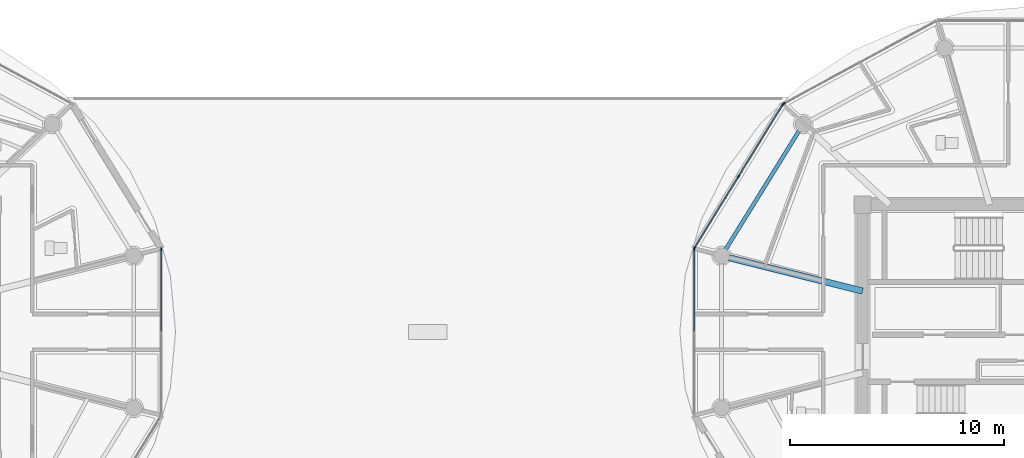
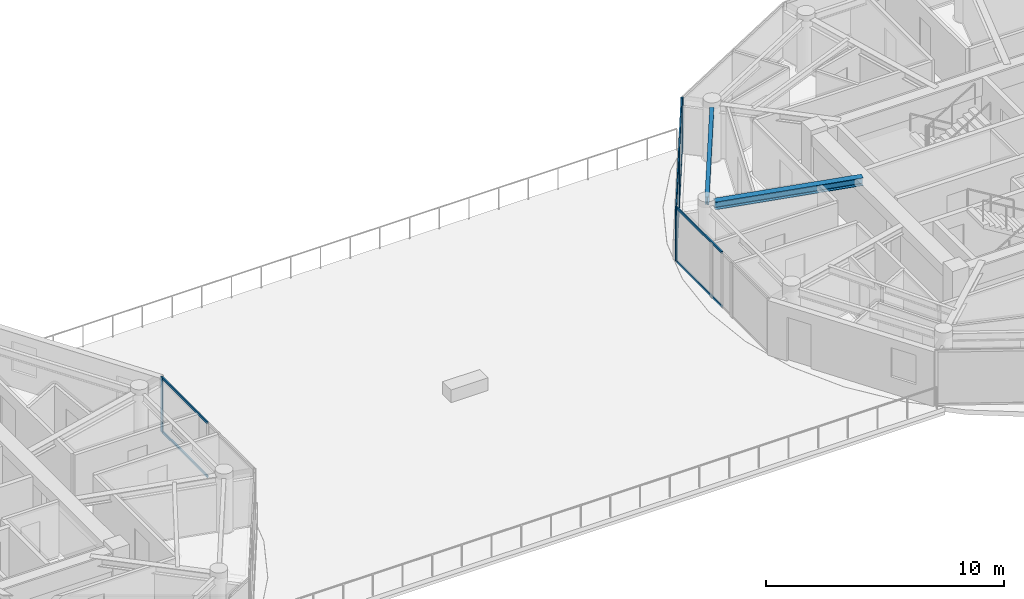
# One storey, part 7 of 30: 14 members, 2 beams, 4 elements without a shape of their own.
"""IFC4 building model written with IfcOpenShell, lengths in metres."""

from ifc_helpers import new_model, si_unit, direction, frame, origin, origin_2d, place, context, subcontext, project, spatial, rectangle, i_section, extrude, source, transform, mapped, material, layer, layer_set, material_profile, profile_set, type_object, type_shapes, element, aggregate, save


model = new_model("IFC4")

# Units and contexts
model_context = context("Model", 3, precision=1e-05, world=origin(), true_north=direction((0.0, 1.0)))
body_context = subcontext(model_context, "Body", "Model", "MODEL_VIEW")
ifc_project = project(units=[si_unit("LENGTHUNIT", "METRE"), si_unit("AREAUNIT", "SQUARE_METRE"), si_unit("VOLUMEUNIT", "CUBIC_METRE"), si_unit("PLANEANGLEUNIT", "RADIAN"), si_unit("MASSUNIT", "GRAM", prefix="KILO")], contexts=[model_context])

# Site, building, storey
site_placement = place(None, origin())
site = spatial("IfcSite", under=ifc_project, at=site_placement, CompositionType="ELEMENT")
building_placement = place(site_placement, origin())
building = spatial("IfcBuilding", under=site, at=building_placement, Name="Norrkilde Senior Care Towers", CompositionType="ELEMENT")
storey_placement = place(building_placement, frame((0.0, 0.0, 232.199951171875)))
storey = spatial("IfcBuildingStorey", under=building, at=storey_placement, Name="L72", CompositionType="ELEMENT", Elevation=232.199951171875)

# Beams
ifc_material_1 = material(Name="Steel S355", Category="steel")
ifc_material_profile_1 = material_profile(ifc_material_1, i_section(OverallWidth=0.179931640625, OverallDepth=0.39990234375, WebThickness=0.008544921875, FlangeThickness=0.013427734375, FilletRadius=0.02099609375, at=origin_2d()), Name="IPE 400")
ifc_profile_set_1 = profile_set([ifc_material_profile_1], Name="Steel S355")
beam_type_1 = type_object("IfcBeamType", Name="Perimeter Ring Spandrel Z4 IPE400", PredefinedType="SPANDREL", material=ifc_profile_set_1)
shared_shape_1 = source(origin(), body_context, "Body", "SweptSolid", [
    extrude(i_section(OverallWidth=0.179931640625, OverallDepth=0.39990234375, WebThickness=0.008544921875, FlangeThickness=0.013427734375, FilletRadius=0.02099609375, at=origin_2d()), origin(), (0.0, 0.0, 1.0), 6.58056640625),
])
type_shapes(beam_type_1, [shared_shape_1])
beam_1_placement = place(storey_placement, frame((17.393798828125, 9.43798828125, 2.610107421875), z_axis=(-0.526529583789, -0.850156807533, 0.0), x_axis=(0.850156807533, -0.526529583789, 0.0)))
element("IfcBeam", 1, at=beam_1_placement, inside=storey, type_object=beam_type_1, Name="L72 Drum E Perimeter Spandrel 05", PredefinedType="SPANDREL", context=body_context, shape_type="MappedRepresentation", body=[
    mapped(shared_shape_1, transform((0.0, 0.0, 0.0), x_axis=(1.0, 0.0, 0.0), y_axis=(0.0, 1.0, 0.0), z_axis=(0.0, 0.0, 1.0), scale=1.0)),
])
ifc_material_profile_2 = material_profile(ifc_material_1, i_section(OverallWidth=0.300048828125, OverallDepth=0.39990234375, WebThickness=0.013427734375, FlangeThickness=0.02392578125, FilletRadius=0.027099609375, at=origin_2d()), Name="HEB 400")
ifc_profile_set_2 = profile_set([ifc_material_profile_2], Name="Steel S355")
beam_type_2 = type_object("IfcBeamType", Name="Radial Floor Beam Z4 HEB400", PredefinedType="BEAM", material=ifc_profile_set_2)
shared_shape_2 = source(origin(), body_context, "Body", "SweptSolid", [
    extrude(i_section(OverallWidth=0.300048828125, OverallDepth=0.39990234375, WebThickness=0.013427734375, FlangeThickness=0.02392578125, FilletRadius=0.027099609375, at=origin_2d()), origin(), (0.0, 0.0, 1.0), 6.465087890625),
])
type_shapes(beam_type_2, [shared_shape_2])
beam_2_placement = place(storey_placement, frame((20.35009765625, 1.910888671875, 2.610107421875), z_axis=(-0.970195788563, 0.242322371758, 0.0), x_axis=(-0.242322371758, -0.970195788563, 0.0)))
element("IfcBeam", 2, at=beam_2_placement, inside=storey, type_object=beam_type_2, Name="L72 Drum E Radial Floor Beam 06", PredefinedType="BEAM", context=body_context, shape_type="MappedRepresentation", body=[
    mapped(shared_shape_2, transform((0.0, 0.0, 0.0), x_axis=(1.0, 0.0, 0.0), y_axis=(0.0, 1.0, 0.0), z_axis=(0.0, 0.0, 1.0), scale=1.0)),
])

# Curtain wall, member
ifc_material_2 = material(Name="Triple Low-E Insulated Glazing", Category="glass")
ifc_layer = layer(ifc_material_2, 0.18505859375)
ifc_layer_set = layer_set([ifc_layer], Name="Triple Low-E Insulated Glazing")
curtain_wall_type = type_object("IfcCurtainWallType", Name="CW6 Zone 4 Crown Pavilion Curtain Wall", PredefinedType="NOTDEFINED", material=ifc_layer_set)
curtain_wall_1_placement = place(storey_placement, origin())
curtain_wall_1 = element("IfcCurtainWall", 3, at=curtain_wall_1_placement, inside=storey, type_object=curtain_wall_type, Name="L72 Drum W Curtain Wall 11", PredefinedType="NOTDEFINED")
ifc_material_3 = material(Name="Anodised Aluminium", Category="aluminium")
ifc_material_profile_3 = material_profile(ifc_material_3, rectangle(XDim=0.06494140625, YDim=0.14990234375, at=origin_2d()), Name="ALU MULL 65x150")
ifc_profile_set_3 = profile_set([ifc_material_profile_3], Name="Anodised Aluminium")
member_type_1 = type_object("IfcMemberType", Name="Curtain Wall Mullion Z3-Z4 65x150", PredefinedType="MULLION", material=ifc_profile_set_3)
shared_shape_3 = source(origin(), body_context, "Body", "SweptSolid", [
    extrude(rectangle(XDim=0.06494140625, YDim=0.14990234375, at=origin_2d()), origin(), (0.0, 0.0, 1.0), 2.81005859375),
])
type_shapes(member_type_1, [shared_shape_3])
member_1_placement = place(storey_placement, frame((-12.468017578125, 3.87060546875, 0.0), z_axis=(0.0, 0.0, 1.0), x_axis=(1.0, 0.0, 0.0)))
member_1 = element("IfcMember", 4, at=member_1_placement, type_object=member_type_1, Name="CW-6 mullion 1", PredefinedType="MULLION", context=body_context, shape_type="MappedRepresentation", body=[
    mapped(shared_shape_3, transform((0.0, 0.0, 0.0), x_axis=(1.0, 0.0, 0.0), y_axis=(0.0, 1.0, 0.0), z_axis=(0.0, 0.0, 1.0), scale=1.0)),
])

curtain_wall_2_placement = place(storey_placement, origin())
curtain_wall_2 = element("IfcCurtainWall", 5, at=curtain_wall_2_placement, inside=storey, type_object=curtain_wall_type, Name="L72 Drum E Curtain Wall 03", PredefinedType="NOTDEFINED")
member_2_placement = place(storey_placement, frame((16.658203125, 10.6787109375, 0.0), z_axis=(0.0, 0.0, 1.0), x_axis=(-0.476132676136, 0.879373455772, 0.0)))
member_2 = element("IfcMember", 6, at=member_2_placement, type_object=member_type_1, Name="CW-6 mullion 1", PredefinedType="MULLION", context=body_context, shape_type="MappedRepresentation", body=[
    mapped(shared_shape_3, transform((0.0, 0.0, 0.0), x_axis=(1.0, 0.0, 0.0), y_axis=(0.0, 1.0, 0.0), z_axis=(0.0, 0.0, 1.0), scale=1.0)),
])
aggregate(curtain_wall_2, [member_2])

# Curtain wall, members
curtain_wall_3_placement = place(storey_placement, origin())
curtain_wall_3 = element("IfcCurtainWall", 7, at=curtain_wall_3_placement, inside=storey, type_object=curtain_wall_type, Name="L72 Drum E Curtain Wall 04", PredefinedType="NOTDEFINED")
member_3_placement = place(storey_placement, frame((12.48486328125, 3.9306640625, 0.0), z_axis=(0.0, 0.0, 1.0), x_axis=(-0.851562727283, 0.524252726748, 0.0)))
member_3 = element("IfcMember", 8, at=member_3_placement, type_object=member_type_1, Name="CW-6 mullion 1", PredefinedType="MULLION", context=body_context, shape_type="MappedRepresentation", body=[
    mapped(shared_shape_3, transform((0.0, 0.0, 0.0), x_axis=(1.0, 0.0, 0.0), y_axis=(0.0, 1.0, 0.0), z_axis=(0.0, 0.0, 1.0), scale=1.0)),
])
member_4_placement = place(storey_placement, frame((14.548828125, 7.282958984375, 0.0), z_axis=(0.0, 0.0, 1.0), x_axis=(-0.851562727283, 0.524252726748, 0.0)))
member_4 = element("IfcMember", 9, at=member_4_placement, type_object=member_type_1, Name="CW-6 mullion 2", PredefinedType="MULLION", context=body_context, shape_type="MappedRepresentation", body=[
    mapped(shared_shape_3, transform((0.0, 0.0, 0.0), x_axis=(1.0, 0.0, 0.0), y_axis=(0.0, 1.0, 0.0), z_axis=(0.0, 0.0, 1.0), scale=1.0)),
])
member_5_placement = place(storey_placement, frame((16.61279296875, 10.635498046875, 0.0), z_axis=(0.0, 0.0, 1.0), x_axis=(-0.851562727283, 0.524252726748, 0.0)))
member_5 = element("IfcMember", 10, at=member_5_placement, type_object=member_type_1, Name="CW-6 mullion 3", PredefinedType="MULLION", context=body_context, shape_type="MappedRepresentation", body=[
    mapped(shared_shape_3, transform((0.0, 0.0, 0.0), x_axis=(1.0, 0.0, 0.0), y_axis=(0.0, 1.0, 0.0), z_axis=(0.0, 0.0, 1.0), scale=1.0)),
])

# Curtain wall, member
curtain_wall_4_placement = place(storey_placement, origin())
curtain_wall_4 = element("IfcCurtainWall", 11, at=curtain_wall_4_placement, inside=storey, type_object=curtain_wall_type, Name="L72 Drum E Curtain Wall 05", PredefinedType="NOTDEFINED")
member_6_placement = place(storey_placement, frame((12.468017578125, 3.87060546875, 0.0), z_axis=(0.0, 0.0, 1.0), x_axis=(-1.0, 0.0, 0.0)))
member_6 = element("IfcMember", 12, at=member_6_placement, type_object=member_type_1, Name="CW-6 mullion 3", PredefinedType="MULLION", context=body_context, shape_type="MappedRepresentation", body=[
    mapped(shared_shape_3, transform((0.0, 0.0, 0.0), x_axis=(1.0, 0.0, 0.0), y_axis=(0.0, 1.0, 0.0), z_axis=(0.0, 0.0, 1.0), scale=1.0)),
])

# Member
ifc_material_profile_4 = material_profile(ifc_material_3, rectangle(XDim=0.06005859375, YDim=0.1201171875, at=origin_2d()), Name="ALU TRAN 60x120")
ifc_profile_set_4 = profile_set([ifc_material_profile_4], Name="Anodised Aluminium")
member_type_2 = type_object("IfcMemberType", Name="Curtain Wall Transom Typical 60x120", PredefinedType="USERDEFINED", material=ifc_profile_set_4)
shared_shape_4 = source(origin(), body_context, "Body", "SweptSolid", [
    extrude(rectangle(XDim=0.06005859375, YDim=0.1201171875, at=origin_2d()), origin(), (0.0, 0.0, 1.0), 3.871826171875),
])
member_7_placement = place(storey_placement, frame((12.501953125, 3.958251953125, 0.030029296875), z_axis=(0.524245179227, 0.851567373763, 0.0), x_axis=(-0.851567373763, 0.524245179227, 0.0)))
member_7 = element("IfcMember", 13, at=member_7_placement, type_object=member_type_2, Name="CW-6 transom 1.1", ObjectType="TRANSOM", PredefinedType="USERDEFINED", context=body_context, shape_type="MappedRepresentation", body=[
    mapped(shared_shape_4, transform((0.0, 0.0, 0.0), x_axis=(1.0, 0.0, 0.0), y_axis=(0.0, 1.0, 0.0), z_axis=(0.0, 0.0, 1.0), scale=1.0)),
])

member_8_placement = place(storey_placement, frame((12.501953125, 3.958251953125, 2.780029296875), z_axis=(0.524245179227, 0.851567373763, 0.0), x_axis=(-0.851567373763, 0.524245179227, 0.0)))
member_8 = element("IfcMember", 14, at=member_8_placement, type_object=member_type_2, Name="CW-6 transom 1.2", ObjectType="TRANSOM", PredefinedType="USERDEFINED", context=body_context, shape_type="MappedRepresentation", body=[
    mapped(shared_shape_4, transform((0.0, 0.0, 0.0), x_axis=(1.0, 0.0, 0.0), y_axis=(0.0, 1.0, 0.0), z_axis=(0.0, 0.0, 1.0), scale=1.0)),
])

member_9_placement = place(storey_placement, frame((14.56591796875, 7.310791015625, 0.030029296875), z_axis=(0.524245179227, 0.851567373763, 0.0), x_axis=(-0.851567373763, 0.524245179227, 0.0)))
member_9 = element("IfcMember", 15, at=member_9_placement, type_object=member_type_2, Name="CW-6 transom 2.1", ObjectType="TRANSOM", PredefinedType="USERDEFINED", context=body_context, shape_type="MappedRepresentation", body=[
    mapped(shared_shape_4, transform((0.0, 0.0, 0.0), x_axis=(1.0, 0.0, 0.0), y_axis=(0.0, 1.0, 0.0), z_axis=(0.0, 0.0, 1.0), scale=1.0)),
])

member_10_placement = place(storey_placement, frame((14.56591796875, 7.310791015625, 2.780029296875), z_axis=(0.524245179227, 0.851567373763, 0.0), x_axis=(-0.851567373763, 0.524245179227, 0.0)))
member_10 = element("IfcMember", 16, at=member_10_placement, type_object=member_type_2, Name="CW-6 transom 2.2", ObjectType="TRANSOM", PredefinedType="USERDEFINED", context=body_context, shape_type="MappedRepresentation", body=[
    mapped(shared_shape_4, transform((0.0, 0.0, 0.0), x_axis=(1.0, 0.0, 0.0), y_axis=(0.0, 1.0, 0.0), z_axis=(0.0, 0.0, 1.0), scale=1.0)),
])

aggregate(curtain_wall_3, [member_3, member_4, member_5, member_7, member_8, member_9, member_10])

shared_shape_5 = source(origin(), body_context, "Body", "SweptSolid", [
    extrude(rectangle(XDim=0.06005859375, YDim=0.1201171875, at=origin_2d()), origin(), (0.0, 0.0, 1.0), 3.805419921875),
])
type_shapes(member_type_2, [shared_shape_4, shared_shape_5])
member_11_placement = place(storey_placement, frame((-12.468017578125, 3.837890625, 0.030029296875), z_axis=(0.0, -1.0, 0.0), x_axis=(1.0, 0.0, 0.0)))
member_11 = element("IfcMember", 17, at=member_11_placement, type_object=member_type_2, Name="CW-6 transom 1.1", ObjectType="TRANSOM", PredefinedType="USERDEFINED", context=body_context, shape_type="MappedRepresentation", body=[
    mapped(shared_shape_5, transform((0.0, 0.0, 0.0), x_axis=(1.0, 0.0, 0.0), y_axis=(0.0, 1.0, 0.0), z_axis=(0.0, 0.0, 1.0), scale=1.0)),
])

member_12_placement = place(storey_placement, frame((-12.468017578125, 3.837890625, 2.780029296875), z_axis=(0.0, -1.0, 0.0), x_axis=(1.0, 0.0, 0.0)))
member_12 = element("IfcMember", 18, at=member_12_placement, type_object=member_type_2, Name="CW-6 transom 1.2", ObjectType="TRANSOM", PredefinedType="USERDEFINED", context=body_context, shape_type="MappedRepresentation", body=[
    mapped(shared_shape_5, transform((0.0, 0.0, 0.0), x_axis=(1.0, 0.0, 0.0), y_axis=(0.0, 1.0, 0.0), z_axis=(0.0, 0.0, 1.0), scale=1.0)),
])

aggregate(curtain_wall_1, [member_1, member_11, member_12])

member_13_placement = place(storey_placement, frame((12.468017578125, 0.032470703125, 0.030029296875), z_axis=(0.0, 1.0, 0.0), x_axis=(-1.0, 0.0, 0.0)))
member_13 = element("IfcMember", 19, at=member_13_placement, type_object=member_type_2, Name="CW-6 transom 2.1", ObjectType="TRANSOM", PredefinedType="USERDEFINED", context=body_context, shape_type="MappedRepresentation", body=[
    mapped(shared_shape_5, transform((0.0, 0.0, 0.0), x_axis=(1.0, 0.0, 0.0), y_axis=(0.0, 1.0, 0.0), z_axis=(0.0, 0.0, 1.0), scale=1.0)),
])

member_14_placement = place(storey_placement, frame((12.468017578125, 0.032470703125, 2.780029296875), z_axis=(0.0, 1.0, 0.0), x_axis=(-1.0, 0.0, 0.0)))
member_14 = element("IfcMember", 20, at=member_14_placement, type_object=member_type_2, Name="CW-6 transom 2.2", ObjectType="TRANSOM", PredefinedType="USERDEFINED", context=body_context, shape_type="MappedRepresentation", body=[
    mapped(shared_shape_5, transform((0.0, 0.0, 0.0), x_axis=(1.0, 0.0, 0.0), y_axis=(0.0, 1.0, 0.0), z_axis=(0.0, 0.0, 1.0), scale=1.0)),
])

aggregate(curtain_wall_4, [member_6, member_13, member_14])

save(model, "model.ifc")
